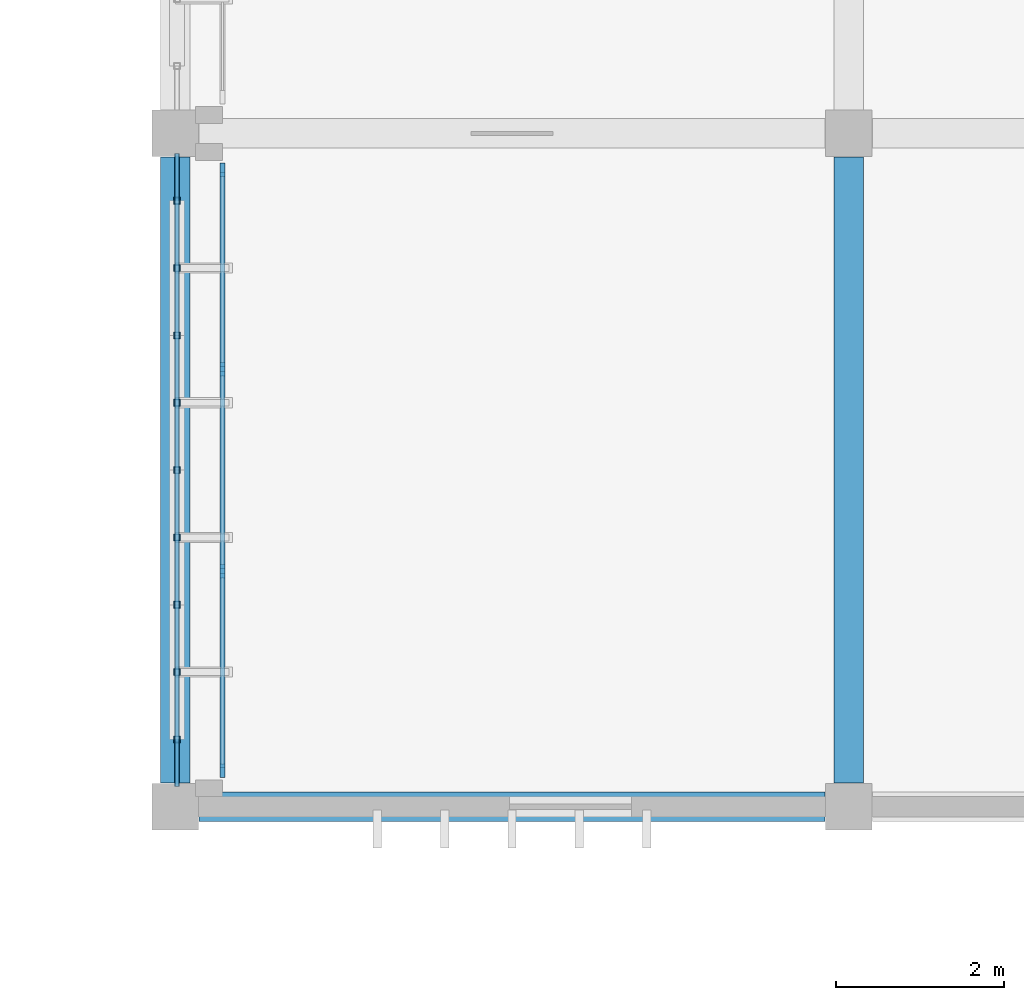
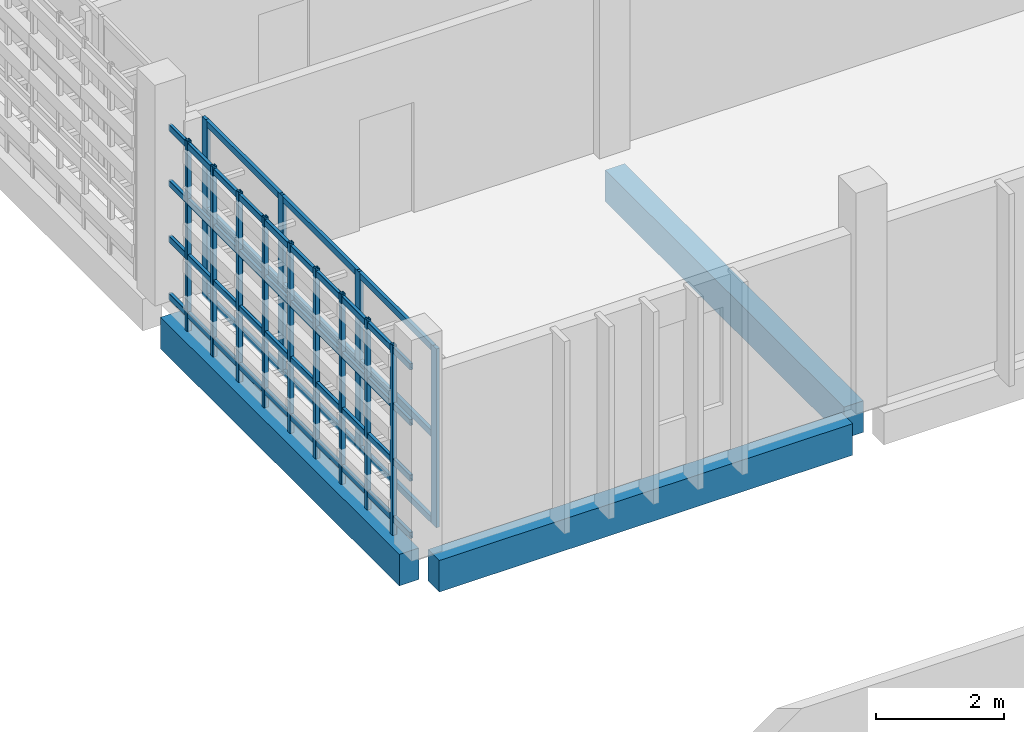
# One storey, part 10 of 48: 26 members, 3 beams, 1 element without a shape of its own.
"""IFC4 building model written with IfcOpenShell, lengths in metres."""

from ifc_helpers import new_model, si_unit, direction, frame, origin, origin_2d, place, context, subcontext, project, spatial, rectangle, hollow_rectangle, extrude, material, layer, layer_set, material_profile, profile_set, type_object, element, aggregate, save


model = new_model("IFC4")

# Units and contexts
model_context = context("Model", 3, precision=1e-05, world=origin(), true_north=direction((0.0, 1.0)))
body_context = subcontext(model_context, "Body", "Model", "MODEL_VIEW")
ifc_project = project(units=[si_unit("LENGTHUNIT", "METRE"), si_unit("AREAUNIT", "SQUARE_METRE"), si_unit("VOLUMEUNIT", "CUBIC_METRE"), si_unit("PLANEANGLEUNIT", "RADIAN"), si_unit("MASSUNIT", "GRAM", prefix="KILO")], contexts=[model_context])

# Site, building, storey
site_placement = place(None, origin())
site = spatial("IfcSite", under=ifc_project, at=site_placement, CompositionType="ELEMENT")
building_placement = place(site_placement, origin())
building = spatial("IfcBuilding", under=site, at=building_placement, Name="Jelvoka-Kovrelna Polytechnic", CompositionType="ELEMENT")
storey_placement = place(building_placement, frame((0.0, 0.0, 22.199951171875)))
storey = spatial("IfcBuildingStorey", under=building, at=storey_placement, Name="L06", CompositionType="ELEMENT", Elevation=22.199951171875)

# Beams
ifc_material_1 = material(Name="Concrete C35/45", Category="concrete")
ifc_material_profile_1 = material_profile(ifc_material_1, rectangle(XDim=0.35009765625, YDim=0.60009765625, at=origin_2d()), Name="RC 350x600")
ifc_profile_set_1 = profile_set([ifc_material_profile_1], Name="Concrete C35/45")
beam_type_1 = type_object("IfcBeamType", Name="Beam_RC_350x600", PredefinedType="BEAM", material=ifc_profile_set_1)
for number, where, z_axis, x_axis, name in (
    (1, (128.0, 32.280029296875, -0.5400390625), (0.0, 1.0, 0.0), (-1.0, 0.0, 0.0), "L06 beam 1678"),
    (2, (136.0, 32.280029296875, -0.5400390625), (0.0, 1.0, 0.0), (-1.0, 0.0, 0.0), "L06 beam 1680"),
):
    element("IfcBeam", number, at=place(storey_placement, frame(where, z_axis=z_axis, x_axis=x_axis)), inside=storey, type_object=beam_type_1, Name=name, PredefinedType="BEAM", context=body_context, shape_type="SweptSolid", body=[
        extrude(rectangle(XDim=0.35009765625, YDim=0.60009765625, at=origin_2d()), origin(), (0.0, 0.0, 1.0), 7.43994140625),
    ])

# Members
ifc_material_2 = material(Name="Structural steel S355J2H", Category="steel")
ifc_material_profile_2 = material_profile(ifc_material_2, hollow_rectangle(XDim=0.06005859375, YDim=0.1201171875, WallThickness=0.0048828125, InnerFilletRadius=0.0048828125, OuterFilletRadius=0.007568359375, at=origin_2d()), Name="120x60x5.0 RHS")
ifc_profile_set_2 = profile_set([ifc_material_profile_2], Name="Structural steel S355J2H")
member_type_1 = type_object("IfcMemberType", Name="Member_Strut_RHS120", PredefinedType="STRUT", material=ifc_profile_set_2)
for number, where, z_axis, x_axis, name in (
    (3, (128.02001953125, 32.239990234375, 0.080078125), (0.0, 1.0, 0.0), (-1.0, 0.0, 0.0), "L06 terracotta screen horizontal strut 0534"),
    (4, (128.02001953125, 32.239990234375, 1.17138671875), (0.0, 1.0, 0.0), (-1.0, 0.0, 0.0), "L06 terracotta screen horizontal strut 0535"),
    (5, (128.02001953125, 32.239990234375, 2.230712890625), (0.0, 1.0, 0.0), (-1.0, 0.0, 0.0), "L06 terracotta screen horizontal strut 0536"),
    (6, (128.02001953125, 32.239990234375, 3.2900390625), (0.0, 1.0, 0.0), (-1.0, 0.0, 0.0), "L06 terracotta screen horizontal strut 0537"),
):
    element("IfcMember", number, at=place(storey_placement, frame(where, z_axis=z_axis, x_axis=x_axis)), inside=storey, type_object=member_type_1, Name=name, PredefinedType="STRUT", context=body_context, shape_type="SweptSolid", body=[
        extrude(hollow_rectangle(XDim=0.06005859375, YDim=0.1201171875, WallThickness=0.0048828125, InnerFilletRadius=0.0048828125, OuterFilletRadius=0.007568359375, at=origin_2d()), origin(), (0.0, 0.0, 1.0), 7.52001953125),
    ])
ifc_material_3 = material(Name="Structural steel S355J2H", Category="steel")
ifc_material_profile_3 = material_profile(ifc_material_3, hollow_rectangle(XDim=0.080078125, YDim=0.080078125, WallThickness=0.0048828125, InnerFilletRadius=0.0048828125, OuterFilletRadius=0.007568359375, at=origin_2d()), Name="80x80x5.0 SHS")
ifc_profile_set_3 = profile_set([ifc_material_profile_3], Name="Structural steel S355J2H")
member_type_2 = type_object("IfcMemberType", Name="Member_Strut_SHS80", PredefinedType="STRUT", material=ifc_profile_set_3)
for number, where, z_axis, x_axis, name in (
    (7, (128.02001953125, 32.800048828125, -0.22998046875), (0.0, 0.0, 1.0), (1.0, 0.0, 0.0), "L06 terracotta lattice vertical rib 0538"),
    (8, (128.02001953125, 33.60009765625, -0.22998046875), (0.0, 0.0, 1.0), (1.0, 0.0, 0.0), "L06 terracotta lattice vertical rib 0539"),
    (9, (128.02001953125, 34.39990234375, -0.22998046875), (0.0, 0.0, 1.0), (1.0, 0.0, 0.0), "L06 terracotta lattice vertical rib 0540"),
    (10, (128.02001953125, 35.199951171875, -0.22998046875), (0.0, 0.0, 1.0), (1.0, 0.0, 0.0), "L06 terracotta lattice vertical rib 0541"),
    (11, (128.02001953125, 36.0, -0.22998046875), (0.0, 0.0, 1.0), (1.0, 0.0, 0.0), "L06 terracotta lattice vertical rib 0542"),
    (12, (128.02001953125, 36.800048828125, -0.22998046875), (0.0, 0.0, 1.0), (1.0, 0.0, 0.0), "L06 terracotta lattice vertical rib 0543"),
    (13, (128.02001953125, 37.60009765625, -0.22998046875), (0.0, 0.0, 1.0), (1.0, 0.0, 0.0), "L06 terracotta lattice vertical rib 0544"),
    (14, (128.02001953125, 38.39990234375, -0.22998046875), (0.0, 0.0, 1.0), (1.0, 0.0, 0.0), "L06 terracotta lattice vertical rib 0545"),
    (15, (128.02001953125, 39.199951171875, -0.22998046875), (0.0, 0.0, 1.0), (1.0, 0.0, 0.0), "L06 terracotta lattice vertical rib 0546"),
):
    element("IfcMember", number, at=place(storey_placement, frame(where, z_axis=z_axis, x_axis=x_axis)), inside=storey, type_object=member_type_2, Name=name, PredefinedType="STRUT", context=body_context, shape_type="SweptSolid", body=[
        extrude(hollow_rectangle(XDim=0.080078125, YDim=0.080078125, WallThickness=0.0048828125, InnerFilletRadius=0.0048828125, OuterFilletRadius=0.007568359375, at=origin_2d()), origin(), (0.0, 0.0, 1.0), 3.610107421875),
    ])

# Curtain wall, members
ifc_material_4 = material(Name="Anodised aluminium 6063-T6", Category="aluminium")
ifc_layer = layer(ifc_material_4, 0.159912109375)
ifc_layer_set = layer_set([ifc_layer], Name="Anodised aluminium 6063-T6")
curtain_wall_type = type_object("IfcCurtainWallType", Name="CW_Recessed_A", PredefinedType="NOTDEFINED", material=ifc_layer_set)
curtain_wall_placement = place(storey_placement, origin())
curtain_wall = element("IfcCurtainWall", 16, at=curtain_wall_placement, inside=storey, type_object=curtain_wall_type, Name="L06 glazed curtain wall 074", PredefinedType="NOTDEFINED")
ifc_material_5 = material(Name="Anodised aluminium 6063-T6", Category="aluminium")
ifc_material_profile_4 = material_profile(ifc_material_5, rectangle(XDim=0.06005859375, YDim=0.159912109375, at=origin_2d()), Name="ALU 60x160")
ifc_profile_set_4 = profile_set([ifc_material_profile_4], Name="Anodised aluminium 6063-T6")
member_type_3 = type_object("IfcMemberType", Name="Mullion_M-01", PredefinedType="MULLION", material=ifc_profile_set_4)
member_1_placement = place(storey_placement, frame((128.56005859375, 32.429931640625, -0.02490234375), z_axis=(0.0, 0.0, 1.0), x_axis=(-1.0, 0.0, 0.0)))
member_1 = element("IfcMember", 17, at=member_1_placement, type_object=member_type_3, Name="CW-01 mullion 1", PredefinedType="MULLION", context=body_context, shape_type="SweptSolid", body=[
    extrude(rectangle(XDim=0.06005859375, YDim=0.159912109375, at=origin_2d()), origin(), (0.0, 0.0, 1.0), 3.400146484375),
])
member_2_placement = place(storey_placement, frame((128.56005859375, 34.800048828125, -0.02490234375), z_axis=(0.0, 0.0, 1.0), x_axis=(-1.0, 0.0, 0.0)))
member_2 = element("IfcMember", 18, at=member_2_placement, type_object=member_type_3, Name="CW-01 mullion 2", PredefinedType="MULLION", context=body_context, shape_type="SweptSolid", body=[
    extrude(rectangle(XDim=0.06005859375, YDim=0.159912109375, at=origin_2d()), origin(), (0.0, 0.0, 1.0), 3.400146484375),
])
member_3_placement = place(storey_placement, frame((128.56005859375, 37.199951171875, -0.02490234375), z_axis=(0.0, 0.0, 1.0), x_axis=(-1.0, 0.0, 0.0)))
member_3 = element("IfcMember", 19, at=member_3_placement, type_object=member_type_3, Name="CW-01 mullion 3", PredefinedType="MULLION", context=body_context, shape_type="SweptSolid", body=[
    extrude(rectangle(XDim=0.06005859375, YDim=0.159912109375, at=origin_2d()), origin(), (0.0, 0.0, 1.0), 3.400146484375),
])
member_4_placement = place(storey_placement, frame((128.56005859375, 39.570068359375, -0.02490234375), z_axis=(0.0, 0.0, 1.0), x_axis=(-1.0, 0.0, 0.0)))
member_4 = element("IfcMember", 20, at=member_4_placement, type_object=member_type_3, Name="CW-01 mullion 4", PredefinedType="MULLION", context=body_context, shape_type="SweptSolid", body=[
    extrude(rectangle(XDim=0.06005859375, YDim=0.159912109375, at=origin_2d()), origin(), (0.0, 0.0, 1.0), 3.400146484375),
])

# Beam
ifc_material_6 = material(Name="Concrete C40/50", Category="concrete")
ifc_material_profile_5 = material_profile(ifc_material_6, rectangle(XDim=0.35009765625, YDim=0.60009765625, at=origin_2d()), Name="RC 350x600")
ifc_profile_set_5 = profile_set([ifc_material_profile_5], Name="Concrete C40/50")
beam_type_2 = type_object("IfcBeamType", Name="Spandrel_RC_350x600", PredefinedType="SPANDREL", material=ifc_profile_set_5)
beam_placement = place(storey_placement, frame((128.280029296875, 32.0, -0.5400390625), z_axis=(1.0, 0.0, 0.0), x_axis=(0.0, 1.0, 0.0)))
element("IfcBeam", 21, at=beam_placement, inside=storey, type_object=beam_type_2, Name="L06 beam 1652", PredefinedType="SPANDREL", context=body_context, shape_type="SweptSolid", body=[
    extrude(rectangle(XDim=0.35009765625, YDim=0.60009765625, at=origin_2d()), origin(), (0.0, 0.0, 1.0), 7.43994140625),
])

# Member
ifc_material_7 = material(Name="Anodised aluminium 6063-T6", Category="aluminium")
ifc_material_profile_6 = material_profile(ifc_material_7, rectangle(XDim=0.06005859375, YDim=0.1201171875, at=origin_2d()), Name="ALU 60x120")
ifc_profile_set_6 = profile_set([ifc_material_profile_6], Name="Anodised aluminium 6063-T6")
member_type_4 = type_object("IfcMemberType", Name="Transom_T-01", PredefinedType="USERDEFINED", material=ifc_profile_set_6)
member_5_placement = place(storey_placement, frame((128.56005859375, 32.4599609375, 0.030029296875), z_axis=(0.0, 1.0, 0.0), x_axis=(-1.0, 0.0, 0.0)))
member_5 = element("IfcMember", 22, at=member_5_placement, type_object=member_type_4, Name="CW-01 transom 1.1", ObjectType="TRANSOM", PredefinedType="USERDEFINED", context=body_context, shape_type="SweptSolid", body=[
    extrude(rectangle(XDim=0.06005859375, YDim=0.1201171875, at=origin_2d()), origin(), (0.0, 0.0, 1.0), 2.31005859375),
])

member_6_placement = place(storey_placement, frame((128.56005859375, 32.4599609375, 1.675048828125), z_axis=(0.0, 1.0, 0.0), x_axis=(-1.0, 0.0, 0.0)))
member_6 = element("IfcMember", 23, at=member_6_placement, type_object=member_type_4, Name="CW-01 transom 1.2", ObjectType="TRANSOM", PredefinedType="USERDEFINED", context=body_context, shape_type="SweptSolid", body=[
    extrude(rectangle(XDim=0.06005859375, YDim=0.1201171875, at=origin_2d()), origin(), (0.0, 0.0, 1.0), 2.31005859375),
])

member_7_placement = place(storey_placement, frame((128.56005859375, 32.4599609375, 3.320068359375), z_axis=(0.0, 1.0, 0.0), x_axis=(-1.0, 0.0, 0.0)))
member_7 = element("IfcMember", 24, at=member_7_placement, type_object=member_type_4, Name="CW-01 transom 1.3", ObjectType="TRANSOM", PredefinedType="USERDEFINED", context=body_context, shape_type="SweptSolid", body=[
    extrude(rectangle(XDim=0.06005859375, YDim=0.1201171875, at=origin_2d()), origin(), (0.0, 0.0, 1.0), 2.31005859375),
])

member_8_placement = place(storey_placement, frame((128.56005859375, 34.830078125, 0.030029296875), z_axis=(0.0, 1.0, 0.0), x_axis=(-1.0, 0.0, 0.0)))
member_8 = element("IfcMember", 25, at=member_8_placement, type_object=member_type_4, Name="CW-01 transom 2.1", ObjectType="TRANSOM", PredefinedType="USERDEFINED", context=body_context, shape_type="SweptSolid", body=[
    extrude(rectangle(XDim=0.06005859375, YDim=0.1201171875, at=origin_2d()), origin(), (0.0, 0.0, 1.0), 2.33984375),
])

member_9_placement = place(storey_placement, frame((128.56005859375, 34.830078125, 1.675048828125), z_axis=(0.0, 1.0, 0.0), x_axis=(-1.0, 0.0, 0.0)))
member_9 = element("IfcMember", 26, at=member_9_placement, type_object=member_type_4, Name="CW-01 transom 2.2", ObjectType="TRANSOM", PredefinedType="USERDEFINED", context=body_context, shape_type="SweptSolid", body=[
    extrude(rectangle(XDim=0.06005859375, YDim=0.1201171875, at=origin_2d()), origin(), (0.0, 0.0, 1.0), 2.33984375),
])

member_10_placement = place(storey_placement, frame((128.56005859375, 34.830078125, 3.320068359375), z_axis=(0.0, 1.0, 0.0), x_axis=(-1.0, 0.0, 0.0)))
member_10 = element("IfcMember", 27, at=member_10_placement, type_object=member_type_4, Name="CW-01 transom 2.3", ObjectType="TRANSOM", PredefinedType="USERDEFINED", context=body_context, shape_type="SweptSolid", body=[
    extrude(rectangle(XDim=0.06005859375, YDim=0.1201171875, at=origin_2d()), origin(), (0.0, 0.0, 1.0), 2.33984375),
])

member_11_placement = place(storey_placement, frame((128.56005859375, 37.22998046875, 0.030029296875), z_axis=(0.0, 1.0, 0.0), x_axis=(-1.0, 0.0, 0.0)))
member_11 = element("IfcMember", 28, at=member_11_placement, type_object=member_type_4, Name="CW-01 transom 3.1", ObjectType="TRANSOM", PredefinedType="USERDEFINED", context=body_context, shape_type="SweptSolid", body=[
    extrude(rectangle(XDim=0.06005859375, YDim=0.1201171875, at=origin_2d()), origin(), (0.0, 0.0, 1.0), 2.31005859375),
])

member_12_placement = place(storey_placement, frame((128.56005859375, 37.22998046875, 1.675048828125), z_axis=(0.0, 1.0, 0.0), x_axis=(-1.0, 0.0, 0.0)))
member_12 = element("IfcMember", 29, at=member_12_placement, type_object=member_type_4, Name="CW-01 transom 3.2", ObjectType="TRANSOM", PredefinedType="USERDEFINED", context=body_context, shape_type="SweptSolid", body=[
    extrude(rectangle(XDim=0.06005859375, YDim=0.1201171875, at=origin_2d()), origin(), (0.0, 0.0, 1.0), 2.31005859375),
])

member_13_placement = place(storey_placement, frame((128.56005859375, 37.22998046875, 3.320068359375), z_axis=(0.0, 1.0, 0.0), x_axis=(-1.0, 0.0, 0.0)))
member_13 = element("IfcMember", 30, at=member_13_placement, type_object=member_type_4, Name="CW-01 transom 3.3", ObjectType="TRANSOM", PredefinedType="USERDEFINED", context=body_context, shape_type="SweptSolid", body=[
    extrude(rectangle(XDim=0.06005859375, YDim=0.1201171875, at=origin_2d()), origin(), (0.0, 0.0, 1.0), 2.31005859375),
])

aggregate(curtain_wall, [member_1, member_2, member_3, member_4, member_5, member_6, member_7, member_8, member_9, member_10, member_11, member_12, member_13])

save(model, "model.ifc")
